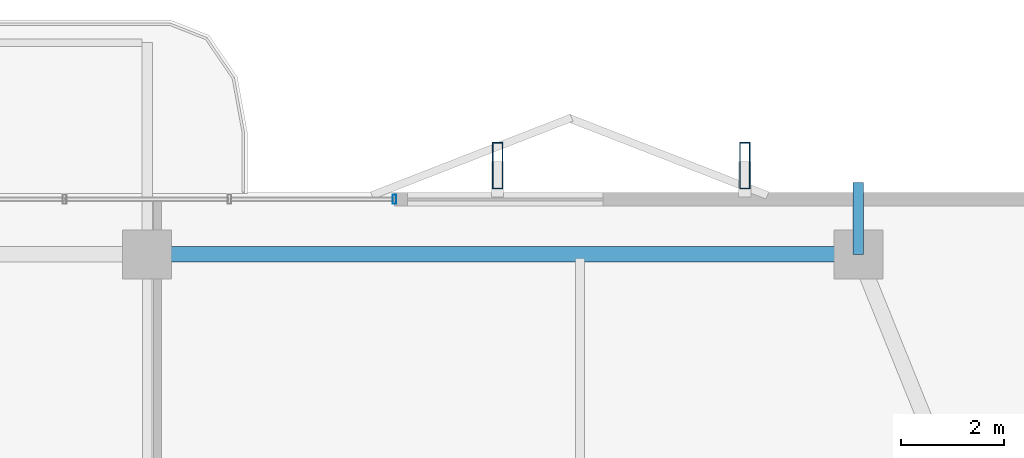
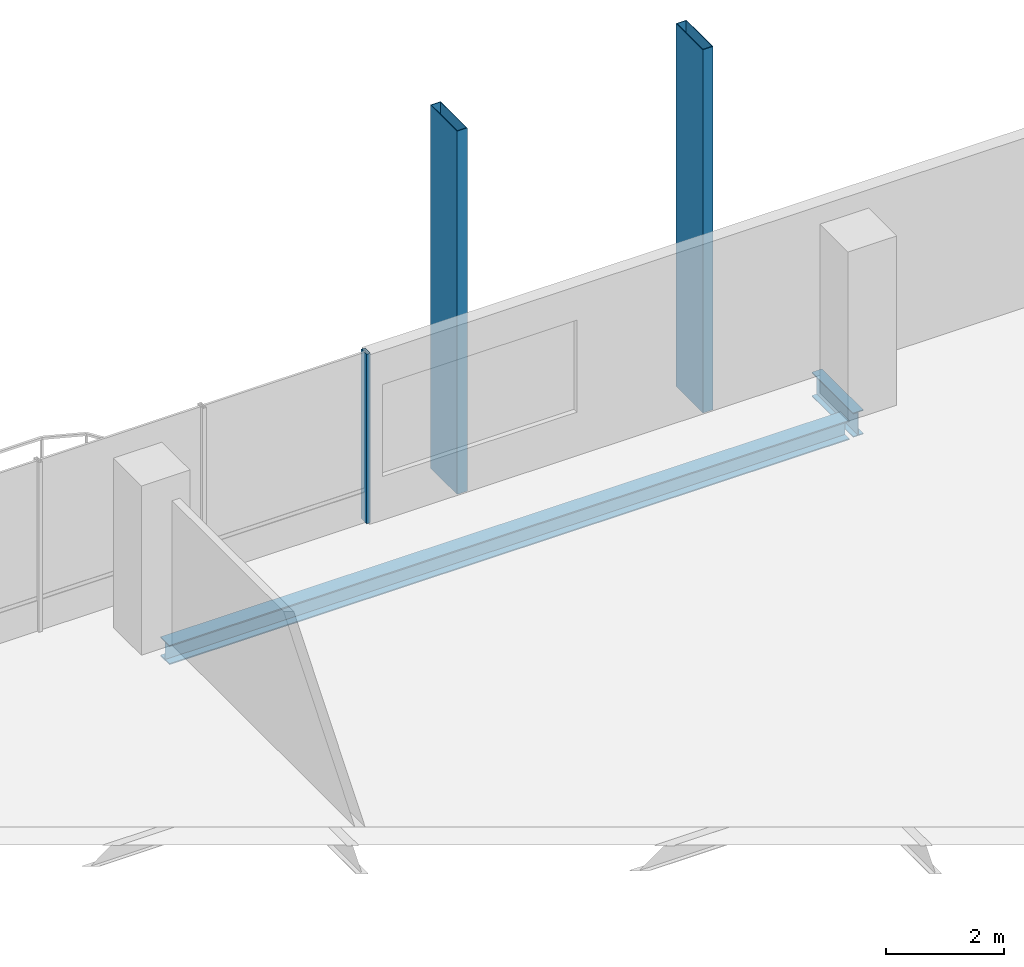
# One storey, part 16 of 25: 3 members, 2 beams, 1 element without a shape of its own.
"""IFC4 building model written with IfcOpenShell, lengths in metres."""

from ifc_helpers import new_model, si_unit, direction, frame, origin, origin_2d, place, context, subcontext, project, spatial, hollow_rectangle, i_section, extrude, material, layer, layer_set, material_profile, profile_set, type_object, element, aggregate, save


model = new_model("IFC4")

# Units and contexts
model_context = context("Model", 3, precision=1e-05, world=origin(), true_north=direction((0.0, 1.0)))
body_context = subcontext(model_context, "Body", "Model", "MODEL_VIEW")
ifc_project = project(units=[si_unit("LENGTHUNIT", "METRE"), si_unit("AREAUNIT", "SQUARE_METRE"), si_unit("VOLUMEUNIT", "CUBIC_METRE"), si_unit("PLANEANGLEUNIT", "RADIAN"), si_unit("MASSUNIT", "GRAM", prefix="KILO")], contexts=[model_context])

# Site, building, storey
site_placement = place(None, origin())
site = spatial("IfcSite", under=ifc_project, at=site_placement, CompositionType="ELEMENT")
building_placement = place(site_placement, origin())
building = spatial("IfcBuilding", under=site, at=building_placement, Name="Belovzor Exchange Tower", CompositionType="ELEMENT")
storey_placement = place(building_placement, frame((0.0, 0.0, 250.35009765625)))
storey = spatial("IfcBuildingStorey", under=building, at=storey_placement, Name="L62", CompositionType="ELEMENT", Elevation=250.35009765625)

# Beam
ifc_material_1 = material(Name="Steel S355", Category="steel")
ifc_material_profile_1 = material_profile(ifc_material_1, i_section(OverallWidth=0.199951171875, OverallDepth=0.5, WebThickness=0.01025390625, FlangeThickness=0.01611328125, at=origin_2d()))
ifc_profile_set_1 = profile_set([ifc_material_profile_1], Name="Steel S355")
beam_type_1 = type_object("IfcBeamType", Name="Planted Balcony Cantilever Beam IPE 500", PredefinedType="BEAM", material=ifc_profile_set_1)
beam_1_placement = place(storey_placement, frame((42.60009765625, 52.5, -0.5), z_axis=(0.0, 1.0, 0.0), x_axis=(-1.0, 0.0, 0.0)))
element("IfcBeam", 1, at=beam_1_placement, inside=storey, type_object=beam_type_1, Name="BC-500 Planted Balcony Cantilever Beam IPE 500", PredefinedType="BEAM", context=body_context, shape_type="SweptSolid", body=[
    extrude(i_section(OverallWidth=0.199951171875, OverallDepth=0.5, WebThickness=0.01025390625, FlangeThickness=0.01611328125, at=origin_2d()), origin(), (0.0, 0.0, 1.0), 1.39990234375),
])

# Members
ifc_material_2 = material(Name="Extruded Architectural Terracotta on Steel S355 Carrier", Category="masonry")
ifc_material_profile_2 = material_profile(ifc_material_2, hollow_rectangle(XDim=0.199951171875, YDim=0.89990234375, WallThickness=0.011962890625, at=origin_2d()))
ifc_profile_set_2 = profile_set([ifc_material_profile_2], Name="Extruded Architectural Terracotta on Steel S355 Carrier")
member_type_1 = type_object("IfcMemberType", Name="Sweeping Terracotta Baguette Fin Assembly 950", PredefinedType="USERDEFINED", material=ifc_profile_set_2)
for number, where, z_axis, x_axis, name in (
    (2, (35.60009765625, 54.22509765625, -0.25), (0.0, 0.0, 1.0), (1.0, 0.0, 0.0), "FIN-TC095 Terracotta Facade Fin L62 N3"),
    (3, (40.39990234375, 54.22509765625, -0.25), (0.0, 0.0, 1.0), (1.0, 0.0, 0.0), "FIN-TC095 Terracotta Facade Fin L62 N4"),
):
    element("IfcMember", number, at=place(storey_placement, frame(where, z_axis=z_axis, x_axis=x_axis)), inside=storey, type_object=member_type_1, Name=name, ObjectType="FIN", PredefinedType="USERDEFINED", context=body_context, shape_type="SweptSolid", body=[
        extrude(hollow_rectangle(XDim=0.199951171875, YDim=0.89990234375, WallThickness=0.011962890625, at=origin_2d()), origin(), (0.0, 0.0, 1.0), 7.5),
    ])

# Curtain wall, member
ifc_material_3 = material(Name="Anodised Aluminium Framing", Category="aluminium")
ifc_layer = layer(ifc_material_3, 0.179931640625)
ifc_layer_set = layer_set([ifc_layer], Name="Anodised Aluminium Framing")
curtain_wall_type = type_object("IfcCurtainWallType", Name="Recessed Loggia Low-Iron Triple-Glazed Curtain Wall", PredefinedType="NOTDEFINED", material=ifc_layer_set)
curtain_wall_placement = place(storey_placement, origin())
curtain_wall = element("IfcCurtainWall", 4, at=curtain_wall_placement, inside=storey, type_object=curtain_wall_type, Name="CW3 Recessed Loggia Low-Iron Triple-Glazed Curtain Wall L62", PredefinedType="NOTDEFINED")
ifc_material_4 = material(Name="Steel S355", Category="steel")
ifc_material_profile_3 = material_profile(ifc_material_4, hollow_rectangle(XDim=0.074951171875, YDim=0.179931640625, WallThickness=0.0048828125, at=origin_2d()))
ifc_profile_set_3 = profile_set([ifc_material_profile_3], Name="Steel S355")
member_type_2 = type_object("IfcMemberType", Name="Thermally Broken Curtain Wall Mullion 180x75", PredefinedType="MULLION", material=ifc_profile_set_3)
member_placement = place(storey_placement, frame((33.60009765625, 53.570068359375, 0.0), z_axis=(0.0, 0.0, 1.0), x_axis=(1.0, 0.0, 0.0)))
member = element("IfcMember", 5, at=member_placement, type_object=member_type_2, Name="CW-M180 Curtain Wall Mullion 4", PredefinedType="MULLION", context=body_context, shape_type="SweptSolid", body=[
    extrude(hollow_rectangle(XDim=0.074951171875, YDim=0.179931640625, WallThickness=0.0048828125, at=origin_2d()), origin(), (0.0, 0.0, 1.0), 3.5),
])
aggregate(curtain_wall, [member])

# Beam
ifc_material_5 = material(Name="Steel S355", Category="steel")
ifc_material_profile_4 = material_profile(ifc_material_5, i_section(OverallWidth=0.300048828125, OverallDepth=0.39990234375, WebThickness=0.013427734375, FlangeThickness=0.02392578125, at=origin_2d()))
ifc_profile_set_4 = profile_set([ifc_material_profile_4], Name="Steel S355")
beam_type_2 = type_object("IfcBeamType", Name="Zone 5 Primary Girder HEB 400", PredefinedType="BEAM", material=ifc_profile_set_4)
beam_2_placement = place(storey_placement, frame((42.339111328125, 52.5, -0.4501953125), z_axis=(-1.0, 0.0, 0.0), x_axis=(0.0, -1.0, 0.0)))
element("IfcBeam", 6, at=beam_2_placement, inside=storey, type_object=beam_type_2, Name="FG-Z5 Zone 5 Primary Girder HEB 400", PredefinedType="BEAM", context=body_context, shape_type="SweptSolid", body=[
    extrude(i_section(OverallWidth=0.300048828125, OverallDepth=0.39990234375, WebThickness=0.013427734375, FlangeThickness=0.02392578125, at=origin_2d()), origin(), (0.0, 0.0, 1.0), 13.278076171875),
])

save(model, "model.ifc")
